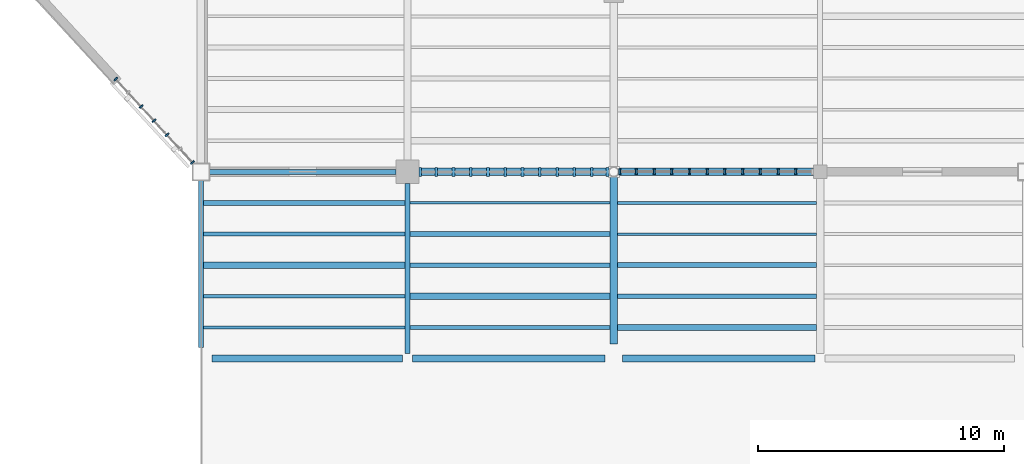
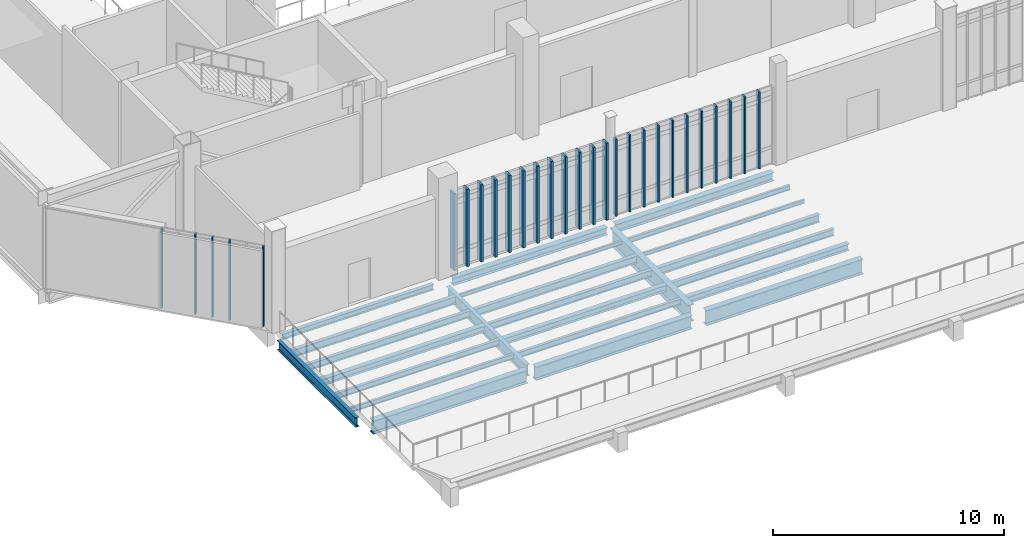
# One storey, part 15 of 127: 28 members, 24 beams, 3 elements without a shape of their own.
"""IFC4 building model written with IfcOpenShell, lengths in metres."""

import ifcopenshell
import ifcopenshell.guid

model = None  # the IFC model being written
_history = None  # IfcOwnerHistory: only IFC2X3 demands one
_inside = {}  # id of a spatial element -> (the spatial element, [elements in it])
_under = {}  # id of a project, library or spatial element -> (it, [spatial elements below it])
_declared = {}  # id of a project -> (the project, [libraries it declares])
_typed = {}  # id of a type object -> (the type object, [elements of that type])
_made_of = {}  # id of a material, layer set ... -> (it, [elements and type objects made of it])


def new_model(schema):
    """Start an empty IFC model of exactly this schema.

    Asked for "IFC4X3", IfcOpenShell would pick the latest addendum, in which some entities
    have other attributes; the version numbers below select the first issue.
    IFC2X3 requires an IfcOwnerHistory on every rooted entity: one is made here for all.
    """
    global model, _history
    if schema == "IFC4X3":
        model = ifcopenshell.file(schema_version=(4, 3, 0, 0))
    else:
        model = ifcopenshell.file(schema=schema)
    _inside.clear()
    _under.clear()
    _declared.clear()
    _typed.clear()
    _made_of.clear()
    _history = None
    if model.schema == "IFC2X3":
        org = make("IfcOrganization", Name="unknown")
        user = make(
            "IfcPersonAndOrganization",
            ThePerson=make("IfcPerson", FamilyName="unknown"),
            TheOrganization=org,
        )
        app = make(
            "IfcApplication",
            ApplicationDeveloper=org,
            Version="unknown",
            ApplicationFullName="unknown",
            ApplicationIdentifier="unknown",
        )
        _history = make(
            "IfcOwnerHistory",
            OwningUser=user,
            OwningApplication=app,
            ChangeAction="ADDED",
            CreationDate=0,
        )
    return model


def make(cls, **values):
    """One entity of the class cls with the attributes given. An attribute that is None is left unset."""
    return model.create_entity(
        cls, **{name: value for name, value in values.items() if value is not None}
    )


def rooted(cls, **values):
    """An entity with a GlobalId (a new one), such as an element, a storey or a relation."""
    return make(cls, GlobalId=ifcopenshell.guid.new(), OwnerHistory=_history, **values)


def si_unit(unit_type, name, prefix=None):
    """IfcSIUnit, for example si_unit("LENGTHUNIT", "METRE", prefix="MILLI")."""
    return make("IfcSIUnit", UnitType=unit_type, Prefix=prefix, Name=name)


def assignment(units):
    """IfcUnitAssignment: the units of a project."""
    return None if units is None else make("IfcUnitAssignment", Units=units)


def point(xyz):
    """IfcCartesianPoint."""
    return None if xyz is None else make("IfcCartesianPoint", Coordinates=xyz)


def direction(xyz):
    """IfcDirection."""
    return None if xyz is None else make("IfcDirection", DirectionRatios=xyz)


def frame(location, z_axis=None, x_axis=None):
    """IfcAxis2Placement3D, a coordinate frame: its origin and axes. An axis left out is left unset."""
    return make(
        "IfcAxis2Placement3D",
        Location=point(location),
        Axis=direction(z_axis),
        RefDirection=direction(x_axis),
    )


def frame_2d(location, x_axis=None):
    """IfcAxis2Placement2D, a coordinate frame in the plane: its origin and x axis."""
    return make(
        "IfcAxis2Placement2D", Location=point(location), RefDirection=direction(x_axis)
    )


def origin():
    """The frame at (0, 0, 0) with its axes left unset."""
    return frame((0.0, 0.0, 0.0))


def origin_2d():
    """The frame at (0, 0) in the plane with its x axis left unset."""
    return frame_2d((0.0, 0.0))


def place(relative_to, where):
    """IfcLocalPlacement: puts the frame where relative to a parent placement (None: the world)."""
    return make(
        "IfcLocalPlacement", PlacementRelTo=relative_to, RelativePlacement=where
    )


def context(
    kind, dimensions, precision=None, world=None, true_north=None, identifier=None
):
    """IfcGeometricRepresentationContext, for example the 3D "Model" context."""
    return make(
        "IfcGeometricRepresentationContext",
        ContextIdentifier=identifier,
        ContextType=kind,
        CoordinateSpaceDimension=dimensions,
        Precision=precision,
        WorldCoordinateSystem=world,
        TrueNorth=true_north,
    )


def subcontext(parent, identifier, kind, view, scale=None):
    """IfcGeometricRepresentationSubContext, for example "Body" below "Model"."""
    return make(
        "IfcGeometricRepresentationSubContext",
        ContextIdentifier=identifier,
        ContextType=kind,
        ParentContext=parent,
        TargetScale=scale,
        TargetView=view,
    )


def project(units=None, contexts=None):
    """IfcProject with its units and contexts."""
    return rooted(
        "IfcProject",
        Name="project",
        RepresentationContexts=contexts,
        UnitsInContext=assignment(units),
    )


def spatial(cls, under=None, at=None, **own):
    """A site, building, storey or space (cls), placed at a placement, below another one or the project."""
    s = rooted(cls, ObjectPlacement=at, **own)
    if under is not None:
        _under.setdefault(under.id(), (under, []))[1].append(s)
    return s


def profile(cls, at=None, kind="AREA", **sizes):
    """A parametric profile (cls). Its sizes go by their IFC names, for example OverallWidth=200.0."""
    return make(cls, ProfileType=kind, Position=at, **sizes)


def rectangle(**sizes):
    """IfcRectangleProfileDef."""
    return profile("IfcRectangleProfileDef", **sizes)


def i_section(**sizes):
    """IfcIShapeProfileDef."""
    return profile("IfcIShapeProfileDef", **sizes)


def extrude(swept, where, along, depth):
    """IfcExtrudedAreaSolid: the profile swept, set in the frame where, extruded along a direction by depth."""
    return make(
        "IfcExtrudedAreaSolid",
        SweptArea=swept,
        Position=where,
        ExtrudedDirection=direction(along),
        Depth=depth,
    )


def shape(context_of_items, identifier, shape_type, items):
    """IfcShapeRepresentation: the items that make up one representation, for example the "Body"."""
    return make(
        "IfcShapeRepresentation",
        ContextOfItems=context_of_items,
        RepresentationIdentifier=identifier,
        RepresentationType=shape_type,
        Items=items,
    )


def material(Name=None, Category=None):
    """IfcMaterial."""
    return make("IfcMaterial", Name=Name, Category=Category)


def material_profile(
    of_material, cross_section, Name=None, Category=None, Priority=None
):
    """IfcMaterialProfile: a cross section and its material."""
    return make(
        "IfcMaterialProfile",
        Name=Name,
        Material=of_material,
        Profile=cross_section,
        Priority=Priority,
        Category=Category,
    )


def profile_set(profiles, Name=None, composite=None):
    """IfcMaterialProfileSet."""
    return make(
        "IfcMaterialProfileSet",
        Name=Name,
        MaterialProfiles=profiles,
        CompositeProfile=composite,
    )


def made_of(thing, what):
    """Note that an element or type object is made of a material, layer set ...; save() writes the relation."""
    if what is not None:
        _made_of.setdefault(what.id(), (what, []))[1].append(thing)
    return thing


def type_object(cls, material=None, **own):
    """A type object (cls), such as IfcWallType, which elements share."""
    return made_of(rooted(cls, **own), material)


def element(
    cls,
    number,
    at=None,
    inside=None,
    cuts=None,
    type_object=None,
    material=None,
    context=None,
    identifier="Body",
    shape_type=None,
    held_by="IfcProductDefinitionShape",
    body=None,
    shapes=None,
    **own,
):
    """One element of the class cls, such as IfcWall. Its Tag is "e" and its number.

    at: its placement. inside: the storey or other place that contains it. cuts: it is an
    opening in that element (IfcRelVoidsElement). A single representation is given by context,
    identifier, shape_type and body (its items); several are given by shapes. held_by: the class
    of the entity that holds the representations. save() writes the other relations.
    """
    e = rooted(cls, Tag="e%d" % number, ObjectPlacement=at, **own)
    if body is not None:
        shapes = [shape(context, identifier, shape_type, body)]
    if shapes is not None:
        e.Representation = make(held_by, Representations=shapes)
    if inside is not None:
        _inside.setdefault(inside.id(), (inside, []))[1].append(e)
    if cuts is not None:
        rooted(
            "IfcRelVoidsElement", RelatingBuildingElement=cuts, RelatedOpeningElement=e
        )
    if type_object is not None:
        _typed.setdefault(type_object.id(), (type_object, []))[1].append(e)
    return made_of(e, material)


def aggregate(whole, parts):
    """IfcRelAggregates: a whole, such as a stair, and the parts it consists of."""
    return rooted("IfcRelAggregates", RelatingObject=whole, RelatedObjects=parts)


def save(model, path):
    """Write the relations noted so far, then the file.

    IfcRelAggregates (storeys below a building ...), IfcRelContainedInSpatialStructure (elements
    in a storey), IfcRelDefinesByType, IfcRelAssociatesMaterial and IfcRelDeclares: one each for
    every whole, place, type object, material and project.
    """
    for whole, parts in _under.values():
        aggregate(whole, parts)
    for where, things in _inside.values():
        rooted(
            "IfcRelContainedInSpatialStructure",
            RelatedElements=things,
            RelatingStructure=where,
        )
    for kind, things in _typed.values():
        rooted("IfcRelDefinesByType", RelatedObjects=things, RelatingType=kind)
    for what, things in _made_of.values():
        rooted("IfcRelAssociatesMaterial", RelatedObjects=things, RelatingMaterial=what)
    for by, libraries in _declared.values():
        rooted("IfcRelDeclares", RelatingContext=by, RelatedDefinitions=libraries)
    model.write(path)


model = new_model("IFC4")

# Units and contexts
model_context = context("Model", 3, precision=1e-05, world=origin(), true_north=direction((0.0, 1.0)))
body_context = subcontext(model_context, "Body", "Model", "MODEL_VIEW")
ifc_project = project(units=[si_unit("LENGTHUNIT", "METRE"), si_unit("AREAUNIT", "SQUARE_METRE"), si_unit("VOLUMEUNIT", "CUBIC_METRE"), si_unit("PLANEANGLEUNIT", "RADIAN"), si_unit("MASSUNIT", "GRAM", prefix="KILO")], contexts=[model_context])

# Site, building, storey
site_placement = place(None, origin())
site = spatial("IfcSite", under=ifc_project, at=site_placement, CompositionType="ELEMENT")
building_placement = place(site_placement, origin())
building = spatial("IfcBuilding", under=site, at=building_placement, Name="Larkvane Passage Sports Hall", CompositionType="ELEMENT")
storey_placement = place(building_placement, frame((0.0, 0.0, 5.39990234375)))
storey = spatial("IfcBuildingStorey", under=building, at=storey_placement, Name="L01", CompositionType="ELEMENT", Elevation=5.39990234375)

# Beams
ifc_material_1 = material(Name="Steel S355JR", Category="steel")
ifc_material_profile_1 = material_profile(ifc_material_1, i_section(OverallWidth=0.199951171875, OverallDepth=0.2939453125, WebThickness=0.008056640625, FlangeThickness=0.011962890625, FilletRadius=0.012939453125, at=origin_2d()), Name="H-294x200x8x12")
ifc_profile_set_1 = profile_set([ifc_material_profile_1], Name="Steel S355JR")
beam_type_1 = type_object("IfcBeamType", Name="BM-STL-H294", PredefinedType="BEAM", material=ifc_profile_set_1)
beam_1_placement = place(storey_placement, frame((35.14990234375, 15.199951171875, -0.56689453125), z_axis=(1.0, 0.0, 0.0), x_axis=(0.0, 1.0, 0.0)))
element("IfcBeam", 1, at=beam_1_placement, inside=storey, type_object=beam_type_1, Name="Girder BM5-X-L01-C-0378", PredefinedType="BEAM", context=body_context, shape_type="SweptSolid", body=[
    extrude(i_section(OverallWidth=0.199951171875, OverallDepth=0.2939453125, WebThickness=0.008056640625, FlangeThickness=0.011962890625, FilletRadius=0.012939453125, at=origin_2d()), origin(), (0.0, 0.0, 1.0), 7.5751953125),
])
ifc_material_profile_2 = material_profile(ifc_material_1, i_section(OverallWidth=0.300048828125, OverallDepth=0.389892578125, WebThickness=0.010009765625, FlangeThickness=0.01611328125, FilletRadius=0.01806640625, at=origin_2d()), Name="H-390x300x10x16")
ifc_profile_set_2 = profile_set([ifc_material_profile_2], Name="Steel S355JR")
beam_type_2 = type_object("IfcBeamType", Name="BM-STL-H390", PredefinedType="BEAM", material=ifc_profile_set_2)
beam_2_placement = place(storey_placement, frame((43.675048828125, 15.199951171875, -0.614990234375), z_axis=(1.0, 0.0, 0.0), x_axis=(0.0, 1.0, 0.0)))
element("IfcBeam", 2, at=beam_2_placement, inside=storey, type_object=beam_type_2, Name="Girder BM5-X-L01-C-0379", PredefinedType="BEAM", context=body_context, shape_type="SweptSolid", body=[
    extrude(i_section(OverallWidth=0.300048828125, OverallDepth=0.389892578125, WebThickness=0.010009765625, FlangeThickness=0.01611328125, FilletRadius=0.01806640625, at=origin_2d()), origin(), (0.0, 0.0, 1.0), 7.7216796875),
])
ifc_material_profile_3 = material_profile(ifc_material_1, i_section(OverallWidth=0.300048828125, OverallDepth=0.43994140625, WebThickness=0.010986328125, FlangeThickness=0.01806640625, FilletRadius=0.01806640625, at=origin_2d()), Name="H-440x300x11x18")
ifc_profile_set_3 = profile_set([ifc_material_profile_3], Name="Steel S355JR")
beam_type_3 = type_object("IfcBeamType", Name="BM-STL-H440", PredefinedType="BEAM", material=ifc_profile_set_3)
beam_3_placement = place(storey_placement, frame((51.80322265625, 15.199951171875, -0.639892578125), z_axis=(1.0, 0.0, 0.0), x_axis=(0.0, 1.0, 0.0)))
element("IfcBeam", 3, at=beam_3_placement, inside=storey, type_object=beam_type_3, Name="Girder BM5-X-L01-C-0380", PredefinedType="BEAM", context=body_context, shape_type="SweptSolid", body=[
    extrude(i_section(OverallWidth=0.300048828125, OverallDepth=0.43994140625, WebThickness=0.010986328125, FlangeThickness=0.01806640625, FilletRadius=0.01806640625, at=origin_2d()), origin(), (0.0, 0.0, 1.0), 7.921875),
])
ifc_material_profile_4 = material_profile(ifc_material_1, i_section(OverallWidth=0.199951171875, OverallDepth=0.60009765625, WebThickness=0.010986328125, FlangeThickness=0.01708984375, FilletRadius=0.01806640625, at=origin_2d()), Name="H-600x200x11x17")
ifc_profile_set_4 = profile_set([ifc_material_profile_4], Name="Steel S355JR")
beam_type_4 = type_object("IfcBeamType", Name="BM-STL-H600", PredefinedType="BEAM", material=ifc_profile_set_4)
beam_4_placement = place(storey_placement, frame((43.199951171875, 7.81396484375, -0.719970703125), z_axis=(0.0, 1.0, 0.0), x_axis=(-1.0, 0.0, 0.0)))
element("IfcBeam", 4, at=beam_4_placement, inside=storey, type_object=beam_type_4, Name="Girder BM5-Y-L01-7-0449", PredefinedType="BEAM", context=body_context, shape_type="SweptSolid", body=[
    extrude(i_section(OverallWidth=0.199951171875, OverallDepth=0.60009765625, WebThickness=0.010986328125, FlangeThickness=0.01708984375, FilletRadius=0.01806640625, at=origin_2d()), origin(), (0.0, 0.0, 1.0), 6.9111328125),
])
ifc_material_2 = material(Name="Steel S460N", Category="steel")
ifc_material_profile_5 = material_profile(ifc_material_2, i_section(OverallWidth=0.300048828125, OverallDepth=0.69189453125, WebThickness=0.012939453125, FlangeThickness=0.02001953125, FilletRadius=0.02197265625, at=origin_2d()), Name="H-692x300x13x20")
ifc_profile_set_5 = profile_set([ifc_material_profile_5], Name="Steel S460N")
beam_type_5 = type_object("IfcBeamType", Name="BM-STL-H692", PredefinedType="BEAM", material=ifc_profile_set_5)
beam_5_placement = place(storey_placement, frame((35.25, 7.60009765625, -0.765869140625), z_axis=(1.0, 0.0, 0.0), x_axis=(0.0, 1.0, 0.0)))
element("IfcBeam", 5, at=beam_5_placement, inside=storey, type_object=beam_type_5, Name="Girder BM5-X-L01-B-0372", PredefinedType="BEAM", context=body_context, shape_type="SweptSolid", body=[
    extrude(i_section(OverallWidth=0.300048828125, OverallDepth=0.69189453125, WebThickness=0.012939453125, FlangeThickness=0.02001953125, FilletRadius=0.02197265625, at=origin_2d()), origin(), (0.0, 0.0, 1.0), 7.74658203125),
])
ifc_material_profile_6 = material_profile(ifc_material_2, i_section(OverallWidth=0.300048828125, OverallDepth=0.699951171875, WebThickness=0.012939453125, FlangeThickness=0.02392578125, FilletRadius=0.02197265625, at=origin_2d()), Name="H-700x300x13x24")
ifc_profile_set_6 = profile_set([ifc_material_profile_6], Name="Steel S460N")
beam_type_6 = type_object("IfcBeamType", Name="BM-STL-H700", PredefinedType="BEAM", material=ifc_profile_set_6)
beam_6_placement = place(storey_placement, frame((43.403564453125, 7.60009765625, -0.77001953125), z_axis=(1.0, 0.0, 0.0), x_axis=(0.0, 1.0, 0.0)))
element("IfcBeam", 6, at=beam_6_placement, inside=storey, type_object=beam_type_6, Name="Girder BM5-X-L01-B-0373", PredefinedType="BEAM", context=body_context, shape_type="SweptSolid", body=[
    extrude(i_section(OverallWidth=0.300048828125, OverallDepth=0.699951171875, WebThickness=0.012939453125, FlangeThickness=0.02392578125, FilletRadius=0.02197265625, at=origin_2d()), origin(), (0.0, 0.0, 1.0), 7.846435546875),
])
ifc_material_profile_7 = material_profile(ifc_material_2, i_section(OverallWidth=0.300048828125, OverallDepth=0.7919921875, WebThickness=0.013916015625, FlangeThickness=0.02197265625, FilletRadius=0.02197265625, at=origin_2d()), Name="H-792x300x14x22")
ifc_profile_set_7 = profile_set([ifc_material_profile_7], Name="Steel S460N")
beam_type_7 = type_object("IfcBeamType", Name="BM-STL-H792", PredefinedType="BEAM", material=ifc_profile_set_7)
beam_7_placement = place(storey_placement, frame((51.949951171875, 7.60009765625, -0.81591796875), z_axis=(1.0, 0.0, 0.0), x_axis=(0.0, 1.0, 0.0)))
element("IfcBeam", 7, at=beam_7_placement, inside=storey, type_object=beam_type_7, Name="Girder BM5-X-L01-B-0374", PredefinedType="BEAM", context=body_context, shape_type="SweptSolid", body=[
    extrude(i_section(OverallWidth=0.300048828125, OverallDepth=0.7919921875, WebThickness=0.013916015625, FlangeThickness=0.02197265625, FilletRadius=0.02197265625, at=origin_2d()), origin(), (0.0, 0.0, 1.0), 7.84765625),
])
ifc_material_profile_8 = material_profile(ifc_material_2, i_section(OverallWidth=0.299072265625, OverallDepth=0.889892578125, WebThickness=0.014892578125, FlangeThickness=0.02294921875, FilletRadius=0.02197265625, at=origin_2d()), Name="H-890x299x15x23")
ifc_profile_set_8 = profile_set([ifc_material_profile_8], Name="Steel S460N")
beam_type_8 = type_object("IfcBeamType", Name="BM-STL-H890", PredefinedType="BEAM", material=ifc_profile_set_8)
beam_8_placement = place(storey_placement, frame((51.60009765625, 8.199951171875, -0.864990234375), z_axis=(0.0, 1.0, 0.0), x_axis=(-1.0, 0.0, 0.0)))
element("IfcBeam", 8, at=beam_8_placement, inside=storey, type_object=beam_type_8, Name="Girder BM5-Y-L01-8-0454", PredefinedType="BEAM", context=body_context, shape_type="SweptSolid", body=[
    extrude(i_section(OverallWidth=0.299072265625, OverallDepth=0.889892578125, WebThickness=0.014892578125, FlangeThickness=0.02294921875, FilletRadius=0.02197265625, at=origin_2d()), origin(), (0.0, 0.0, 1.0), 6.796875),
])

# Curtain wall, members
ifc_material_3 = material(Name="Thermally broken aluminium and low-E glazing", Category="aluminium")
curtain_wall_type_1 = type_object("IfcCurtainWallType", Name="CW-CLINIC", PredefinedType="USERDEFINED", material=ifc_material_3)
curtain_wall_1_placement = place(storey_placement, origin())
curtain_wall_1 = element("IfcCurtainWall", 9, at=curtain_wall_1_placement, inside=storey, type_object=curtain_wall_type_1, Name="Curtain wall CW5-L01-031", ObjectType="UNITISED CURTAIN WALL", PredefinedType="USERDEFINED")
ifc_material_4 = material(Name="Anodised aluminium 6063-T6", Category="aluminium")
ifc_material_profile_9 = material_profile(ifc_material_4, rectangle(XDim=0.110107421875, YDim=0.360107421875, at=origin_2d()), Name="ALU-MUL-110x360")
ifc_profile_set_9 = profile_set([ifc_material_profile_9], Name="Anodised aluminium 6063-T6")
member_type_1 = type_object("IfcMemberType", Name="CW-MUL-110x360", PredefinedType="MULLION", material=ifc_profile_set_9)
member_1_placement = place(storey_placement, frame((51.345703125, 15.199951171875, 0.0), z_axis=(0.0, 0.0, 1.0), x_axis=(-1.0, 0.0, 0.0)))
member_1 = element("IfcMember", 10, at=member_1_placement, type_object=member_type_1, Name="CW-05 mullion 1", PredefinedType="MULLION", context=body_context, shape_type="SweptSolid", body=[
    extrude(rectangle(XDim=0.110107421875, YDim=0.360107421875, at=origin_2d()), origin(), (0.0, 0.0, 1.0), 4.078125),
])
member_2_placement = place(storey_placement, frame((50.697998046875, 15.199951171875, 0.0), z_axis=(0.0, 0.0, 1.0), x_axis=(-1.0, 0.0, 0.0)))
member_2 = element("IfcMember", 11, at=member_2_placement, type_object=member_type_1, Name="CW-05 mullion 2", PredefinedType="MULLION", context=body_context, shape_type="SweptSolid", body=[
    extrude(rectangle(XDim=0.110107421875, YDim=0.360107421875, at=origin_2d()), origin(), (0.0, 0.0, 1.0), 4.078125),
])
member_3_placement = place(storey_placement, frame((49.995361328125, 15.199951171875, 0.0), z_axis=(0.0, 0.0, 1.0), x_axis=(-1.0, 0.0, 0.0)))
member_3 = element("IfcMember", 12, at=member_3_placement, type_object=member_type_1, Name="CW-05 mullion 3", PredefinedType="MULLION", context=body_context, shape_type="SweptSolid", body=[
    extrude(rectangle(XDim=0.110107421875, YDim=0.360107421875, at=origin_2d()), origin(), (0.0, 0.0, 1.0), 4.078125),
])
member_4_placement = place(storey_placement, frame((49.292724609375, 15.199951171875, 0.0), z_axis=(0.0, 0.0, 1.0), x_axis=(-1.0, 0.0, 0.0)))
member_4 = element("IfcMember", 13, at=member_4_placement, type_object=member_type_1, Name="CW-05 mullion 4", PredefinedType="MULLION", context=body_context, shape_type="SweptSolid", body=[
    extrude(rectangle(XDim=0.110107421875, YDim=0.360107421875, at=origin_2d()), origin(), (0.0, 0.0, 1.0), 4.078125),
])
member_5_placement = place(storey_placement, frame((48.58984375, 15.199951171875, 0.0), z_axis=(0.0, 0.0, 1.0), x_axis=(-1.0, 0.0, 0.0)))
member_5 = element("IfcMember", 14, at=member_5_placement, type_object=member_type_1, Name="CW-05 mullion 5", PredefinedType="MULLION", context=body_context, shape_type="SweptSolid", body=[
    extrude(rectangle(XDim=0.110107421875, YDim=0.360107421875, at=origin_2d()), origin(), (0.0, 0.0, 1.0), 4.078125),
])
member_6_placement = place(storey_placement, frame((47.88720703125, 15.199951171875, 0.0), z_axis=(0.0, 0.0, 1.0), x_axis=(-1.0, 0.0, 0.0)))
member_6 = element("IfcMember", 15, at=member_6_placement, type_object=member_type_1, Name="CW-05 mullion 6", PredefinedType="MULLION", context=body_context, shape_type="SweptSolid", body=[
    extrude(rectangle(XDim=0.110107421875, YDim=0.360107421875, at=origin_2d()), origin(), (0.0, 0.0, 1.0), 4.078125),
])
member_7_placement = place(storey_placement, frame((47.1845703125, 15.199951171875, 0.0), z_axis=(0.0, 0.0, 1.0), x_axis=(-1.0, 0.0, 0.0)))
member_7 = element("IfcMember", 16, at=member_7_placement, type_object=member_type_1, Name="CW-05 mullion 7", PredefinedType="MULLION", context=body_context, shape_type="SweptSolid", body=[
    extrude(rectangle(XDim=0.110107421875, YDim=0.360107421875, at=origin_2d()), origin(), (0.0, 0.0, 1.0), 4.078125),
])
member_8_placement = place(storey_placement, frame((46.48193359375, 15.199951171875, 0.0), z_axis=(0.0, 0.0, 1.0), x_axis=(-1.0, 0.0, 0.0)))
member_8 = element("IfcMember", 17, at=member_8_placement, type_object=member_type_1, Name="CW-05 mullion 8", PredefinedType="MULLION", context=body_context, shape_type="SweptSolid", body=[
    extrude(rectangle(XDim=0.110107421875, YDim=0.360107421875, at=origin_2d()), origin(), (0.0, 0.0, 1.0), 4.078125),
])
member_9_placement = place(storey_placement, frame((45.779052734375, 15.199951171875, 0.0), z_axis=(0.0, 0.0, 1.0), x_axis=(-1.0, 0.0, 0.0)))
member_9 = element("IfcMember", 18, at=member_9_placement, type_object=member_type_1, Name="CW-05 mullion 9", PredefinedType="MULLION", context=body_context, shape_type="SweptSolid", body=[
    extrude(rectangle(XDim=0.110107421875, YDim=0.360107421875, at=origin_2d()), origin(), (0.0, 0.0, 1.0), 4.078125),
])
member_10_placement = place(storey_placement, frame((45.076416015625, 15.199951171875, 0.0), z_axis=(0.0, 0.0, 1.0), x_axis=(-1.0, 0.0, 0.0)))
member_10 = element("IfcMember", 19, at=member_10_placement, type_object=member_type_1, Name="CW-05 mullion 10", PredefinedType="MULLION", context=body_context, shape_type="SweptSolid", body=[
    extrude(rectangle(XDim=0.110107421875, YDim=0.360107421875, at=origin_2d()), origin(), (0.0, 0.0, 1.0), 4.078125),
])
member_11_placement = place(storey_placement, frame((44.373779296875, 15.199951171875, 0.0), z_axis=(0.0, 0.0, 1.0), x_axis=(-1.0, 0.0, 0.0)))
member_11 = element("IfcMember", 20, at=member_11_placement, type_object=member_type_1, Name="CW-05 mullion 11", PredefinedType="MULLION", context=body_context, shape_type="SweptSolid", body=[
    extrude(rectangle(XDim=0.110107421875, YDim=0.360107421875, at=origin_2d()), origin(), (0.0, 0.0, 1.0), 4.078125),
])
member_12_placement = place(storey_placement, frame((43.72607421875, 15.199951171875, 0.0), z_axis=(0.0, 0.0, 1.0), x_axis=(-1.0, 0.0, 0.0)))
member_12 = element("IfcMember", 21, at=member_12_placement, type_object=member_type_1, Name="CW-05 mullion 12", PredefinedType="MULLION", context=body_context, shape_type="SweptSolid", body=[
    extrude(rectangle(XDim=0.110107421875, YDim=0.360107421875, at=origin_2d()), origin(), (0.0, 0.0, 1.0), 4.078125),
])
aggregate(curtain_wall_1, [member_1, member_2, member_3, member_4, member_5, member_6, member_7, member_8, member_9, member_10, member_11, member_12])

curtain_wall_type_2 = type_object("IfcCurtainWallType", Name="CW-UNIT-COURT", PredefinedType="USERDEFINED", material=ifc_material_3)
curtain_wall_2_placement = place(storey_placement, origin())
curtain_wall_2 = element("IfcCurtainWall", 22, at=curtain_wall_2_placement, inside=storey, type_object=curtain_wall_type_2, Name="Curtain wall CW5-L01-032", ObjectType="UNITISED CURTAIN WALL", PredefinedType="USERDEFINED")
ifc_material_profile_10 = material_profile(ifc_material_4, rectangle(XDim=0.06494140625, YDim=0.179931640625, at=origin_2d()), Name="ALU-MUL-65x180")
ifc_profile_set_10 = profile_set([ifc_material_profile_10], Name="Anodised aluminium 6063-T6")
member_type_2 = type_object("IfcMemberType", Name="CW-MUL-65x180", PredefinedType="MULLION", material=ifc_profile_set_10)
member_13_placement = place(storey_placement, frame((34.44580078125, 15.584716796875, 0.0), z_axis=(0.0, 0.0, 1.0), x_axis=(-0.677477581746, 0.735543422397, 0.0)))
member_13 = element("IfcMember", 23, at=member_13_placement, type_object=member_type_2, Name="CW-01 mullion 1", PredefinedType="MULLION", context=body_context, shape_type="SweptSolid", body=[
    extrude(rectangle(XDim=0.06494140625, YDim=0.179931640625, at=origin_2d()), origin(), (0.0, 0.0, 1.0), 4.218017578125),
])
member_14_placement = place(storey_placement, frame((33.411865234375, 16.707275390625, 0.0), z_axis=(0.0, 0.0, 1.0), x_axis=(-0.677477581746, 0.735543422397, 0.0)))
member_14 = element("IfcMember", 24, at=member_14_placement, type_object=member_type_2, Name="CW-01 mullion 3", PredefinedType="MULLION", context=body_context, shape_type="SweptSolid", body=[
    extrude(rectangle(XDim=0.06494140625, YDim=0.179931640625, at=origin_2d()), origin(), (0.0, 0.0, 1.0), 4.218017578125),
])
member_15_placement = place(storey_placement, frame((32.8837890625, 17.280517578125, 0.0), z_axis=(0.0, 0.0, 1.0), x_axis=(-0.677477581746, 0.735543422397, 0.0)))
member_15 = element("IfcMember", 25, at=member_15_placement, type_object=member_type_2, Name="CW-01 mullion 4", PredefinedType="MULLION", context=body_context, shape_type="SweptSolid", body=[
    extrude(rectangle(XDim=0.06494140625, YDim=0.179931640625, at=origin_2d()), origin(), (0.0, 0.0, 1.0), 4.218017578125),
])
member_16_placement = place(storey_placement, frame((32.35595703125, 17.853515625, 0.0), z_axis=(0.0, 0.0, 1.0), x_axis=(-0.677477581746, 0.735543422397, 0.0)))
member_16 = element("IfcMember", 26, at=member_16_placement, type_object=member_type_2, Name="CW-01 mullion 5", PredefinedType="MULLION", context=body_context, shape_type="SweptSolid", body=[
    extrude(rectangle(XDim=0.06494140625, YDim=0.179931640625, at=origin_2d()), origin(), (0.0, 0.0, 1.0), 4.218017578125),
])
member_17_placement = place(storey_placement, frame((31.322021484375, 18.97607421875, 0.0), z_axis=(0.0, 0.0, 1.0), x_axis=(-0.677477581746, 0.735543422397, 0.0)))
member_17 = element("IfcMember", 27, at=member_17_placement, type_object=member_type_2, Name="CW-01 mullion 7", PredefinedType="MULLION", context=body_context, shape_type="SweptSolid", body=[
    extrude(rectangle(XDim=0.06494140625, YDim=0.179931640625, at=origin_2d()), origin(), (0.0, 0.0, 1.0), 4.218017578125),
])
aggregate(curtain_wall_2, [member_13, member_14, member_15, member_16, member_17])

curtain_wall_type_3 = type_object("IfcCurtainWallType", Name="CW-STICK-FOYER", PredefinedType="USERDEFINED", material=ifc_material_3)
curtain_wall_3_placement = place(storey_placement, origin())
curtain_wall_3 = element("IfcCurtainWall", 28, at=curtain_wall_3_placement, inside=storey, type_object=curtain_wall_type_3, Name="Curtain wall CW5-L01-030", ObjectType="STICK CURTAIN WALL", PredefinedType="USERDEFINED")
ifc_material_profile_11 = material_profile(ifc_material_4, rectangle(XDim=0.080078125, YDim=0.25, at=origin_2d()), Name="ALU-MUL-80x250")
ifc_profile_set_11 = profile_set([ifc_material_profile_11], Name="Anodised aluminium 6063-T6")
member_type_3 = type_object("IfcMemberType", Name="CW-MUL-80x250", PredefinedType="MULLION", material=ifc_profile_set_11)
member_18_placement = place(storey_placement, frame((59.008056640625, 15.199951171875, 0.0), z_axis=(0.0, 0.0, 1.0), x_axis=(-1.0, 0.0, 0.0)))
member_18 = element("IfcMember", 29, at=member_18_placement, type_object=member_type_3, Name="CW-03 mullion 2", PredefinedType="MULLION", context=body_context, shape_type="SweptSolid", body=[
    extrude(rectangle(XDim=0.080078125, YDim=0.25, at=origin_2d()), origin(), (0.0, 0.0, 1.0), 4.068115234375),
])
member_19_placement = place(storey_placement, frame((58.287109375, 15.199951171875, 0.0), z_axis=(0.0, 0.0, 1.0), x_axis=(-1.0, 0.0, 0.0)))
member_19 = element("IfcMember", 30, at=member_19_placement, type_object=member_type_3, Name="CW-03 mullion 3", PredefinedType="MULLION", context=body_context, shape_type="SweptSolid", body=[
    extrude(rectangle(XDim=0.080078125, YDim=0.25, at=origin_2d()), origin(), (0.0, 0.0, 1.0), 4.068115234375),
])
member_20_placement = place(storey_placement, frame((57.56640625, 15.199951171875, 0.0), z_axis=(0.0, 0.0, 1.0), x_axis=(-1.0, 0.0, 0.0)))
member_20 = element("IfcMember", 31, at=member_20_placement, type_object=member_type_3, Name="CW-03 mullion 4", PredefinedType="MULLION", context=body_context, shape_type="SweptSolid", body=[
    extrude(rectangle(XDim=0.080078125, YDim=0.25, at=origin_2d()), origin(), (0.0, 0.0, 1.0), 4.068115234375),
])
member_21_placement = place(storey_placement, frame((56.845458984375, 15.199951171875, 0.0), z_axis=(0.0, 0.0, 1.0), x_axis=(-1.0, 0.0, 0.0)))
member_21 = element("IfcMember", 32, at=member_21_placement, type_object=member_type_3, Name="CW-03 mullion 5", PredefinedType="MULLION", context=body_context, shape_type="SweptSolid", body=[
    extrude(rectangle(XDim=0.080078125, YDim=0.25, at=origin_2d()), origin(), (0.0, 0.0, 1.0), 4.068115234375),
])
member_22_placement = place(storey_placement, frame((56.12451171875, 15.199951171875, 0.0), z_axis=(0.0, 0.0, 1.0), x_axis=(-1.0, 0.0, 0.0)))
member_22 = element("IfcMember", 33, at=member_22_placement, type_object=member_type_3, Name="CW-03 mullion 6", PredefinedType="MULLION", context=body_context, shape_type="SweptSolid", body=[
    extrude(rectangle(XDim=0.080078125, YDim=0.25, at=origin_2d()), origin(), (0.0, 0.0, 1.0), 4.068115234375),
])
member_23_placement = place(storey_placement, frame((55.403564453125, 15.199951171875, 0.0), z_axis=(0.0, 0.0, 1.0), x_axis=(-1.0, 0.0, 0.0)))
member_23 = element("IfcMember", 34, at=member_23_placement, type_object=member_type_3, Name="CW-03 mullion 7", PredefinedType="MULLION", context=body_context, shape_type="SweptSolid", body=[
    extrude(rectangle(XDim=0.080078125, YDim=0.25, at=origin_2d()), origin(), (0.0, 0.0, 1.0), 4.068115234375),
])
member_24_placement = place(storey_placement, frame((54.682861328125, 15.199951171875, 0.0), z_axis=(0.0, 0.0, 1.0), x_axis=(-1.0, 0.0, 0.0)))
member_24 = element("IfcMember", 35, at=member_24_placement, type_object=member_type_3, Name="CW-03 mullion 8", PredefinedType="MULLION", context=body_context, shape_type="SweptSolid", body=[
    extrude(rectangle(XDim=0.080078125, YDim=0.25, at=origin_2d()), origin(), (0.0, 0.0, 1.0), 4.068115234375),
])
member_25_placement = place(storey_placement, frame((53.9619140625, 15.199951171875, 0.0), z_axis=(0.0, 0.0, 1.0), x_axis=(-1.0, 0.0, 0.0)))
member_25 = element("IfcMember", 36, at=member_25_placement, type_object=member_type_3, Name="CW-03 mullion 9", PredefinedType="MULLION", context=body_context, shape_type="SweptSolid", body=[
    extrude(rectangle(XDim=0.080078125, YDim=0.25, at=origin_2d()), origin(), (0.0, 0.0, 1.0), 4.068115234375),
])
member_26_placement = place(storey_placement, frame((53.240966796875, 15.199951171875, 0.0), z_axis=(0.0, 0.0, 1.0), x_axis=(-1.0, 0.0, 0.0)))
member_26 = element("IfcMember", 37, at=member_26_placement, type_object=member_type_3, Name="CW-03 mullion 10", PredefinedType="MULLION", context=body_context, shape_type="SweptSolid", body=[
    extrude(rectangle(XDim=0.080078125, YDim=0.25, at=origin_2d()), origin(), (0.0, 0.0, 1.0), 4.068115234375),
])
member_27_placement = place(storey_placement, frame((52.52001953125, 15.199951171875, 0.0), z_axis=(0.0, 0.0, 1.0), x_axis=(-1.0, 0.0, 0.0)))
member_27 = element("IfcMember", 38, at=member_27_placement, type_object=member_type_3, Name="CW-03 mullion 11", PredefinedType="MULLION", context=body_context, shape_type="SweptSolid", body=[
    extrude(rectangle(XDim=0.080078125, YDim=0.25, at=origin_2d()), origin(), (0.0, 0.0, 1.0), 4.068115234375),
])
member_28_placement = place(storey_placement, frame((51.839111328125, 15.199951171875, 0.0), z_axis=(0.0, 0.0, 1.0), x_axis=(-1.0, 0.0, 0.0)))
member_28 = element("IfcMember", 39, at=member_28_placement, type_object=member_type_3, Name="CW-03 mullion 12", PredefinedType="MULLION", context=body_context, shape_type="SweptSolid", body=[
    extrude(rectangle(XDim=0.080078125, YDim=0.25, at=origin_2d()), origin(), (0.0, 0.0, 1.0), 4.068115234375),
])
aggregate(curtain_wall_3, [member_18, member_19, member_20, member_21, member_22, member_23, member_24, member_25, member_26, member_27, member_28])

# Beams
ifc_material_profile_12 = material_profile(ifc_material_1, i_section(OverallWidth=0.10009765625, OverallDepth=0.199951171875, WebThickness=0.005615234375, FlangeThickness=0.008056640625, FilletRadius=0.008056640625, at=origin_2d()), Name="H-200x100x5.5x8")
ifc_profile_set_12 = profile_set([ifc_material_profile_12], Name="Steel S355JR")
beam_type_9 = type_object("IfcBeamType", Name="JST-STL-H200", PredefinedType="JOIST", material=ifc_profile_set_12)
beam_9_placement = place(storey_placement, frame((43.300048828125, 13.933349609375, -0.52001953125), z_axis=(1.0, 0.0, 0.0), x_axis=(0.0, 1.0, 0.0)))
element("IfcBeam", 40, at=beam_9_placement, inside=storey, type_object=beam_type_9, Name="Composite joist L01 7/B-5", PredefinedType="JOIST", context=body_context, shape_type="SweptSolid", body=[
    extrude(i_section(OverallWidth=0.10009765625, OverallDepth=0.199951171875, WebThickness=0.005615234375, FlangeThickness=0.008056640625, FilletRadius=0.008056640625, at=origin_2d()), origin(), (0.0, 0.0, 1.0), 8.150390625),
])
beam_10_placement = place(storey_placement, frame((51.74951171875, 12.666748046875, -0.52001953125), z_axis=(1.0, 0.0, 0.0), x_axis=(0.0, 1.0, 0.0)))
element("IfcBeam", 41, at=beam_10_placement, inside=storey, type_object=beam_type_9, Name="Composite joist L01 8/B-4", PredefinedType="JOIST", context=body_context, shape_type="SweptSolid", body=[
    extrude(i_section(OverallWidth=0.10009765625, OverallDepth=0.199951171875, WebThickness=0.005615234375, FlangeThickness=0.008056640625, FilletRadius=0.008056640625, at=origin_2d()), origin(), (0.0, 0.0, 1.0), 8.1005859375),
])
ifc_material_profile_13 = material_profile(ifc_material_1, i_section(OverallWidth=0.125, OverallDepth=0.25, WebThickness=0.006103515625, FlangeThickness=0.009033203125, FilletRadius=0.008056640625, at=origin_2d()), Name="H-250x125x6x9")
ifc_profile_set_13 = profile_set([ifc_material_profile_13], Name="Steel S355JR")
beam_type_10 = type_object("IfcBeamType", Name="JST-STL-H250", PredefinedType="JOIST", material=ifc_profile_set_13)
beam_11_placement = place(storey_placement, frame((34.89990234375, 8.86669921875, -0.544921875), z_axis=(1.0, 0.0, 0.0), x_axis=(0.0, 1.0, 0.0)))
element("IfcBeam", 42, at=beam_11_placement, inside=storey, type_object=beam_type_10, Name="Composite joist L01 6/B-1", PredefinedType="JOIST", context=body_context, shape_type="SweptSolid", body=[
    extrude(i_section(OverallWidth=0.125, OverallDepth=0.25, WebThickness=0.006103515625, FlangeThickness=0.009033203125, FilletRadius=0.008056640625, at=origin_2d()), origin(), (0.0, 0.0, 1.0), 8.2001953125),
])
beam_12_placement = place(storey_placement, frame((51.74951171875, 13.933349609375, -0.544921875), z_axis=(1.0, 0.0, 0.0), x_axis=(0.0, 1.0, 0.0)))
element("IfcBeam", 43, at=beam_12_placement, inside=storey, type_object=beam_type_10, Name="Composite joist L01 8/B-5", PredefinedType="JOIST", context=body_context, shape_type="SweptSolid", body=[
    extrude(i_section(OverallWidth=0.125, OverallDepth=0.25, WebThickness=0.006103515625, FlangeThickness=0.009033203125, FilletRadius=0.008056640625, at=origin_2d()), origin(), (0.0, 0.0, 1.0), 8.1005859375),
])
ifc_material_profile_14 = material_profile(ifc_material_1, i_section(OverallWidth=0.14990234375, OverallDepth=0.300048828125, WebThickness=0.006591796875, FlangeThickness=0.009033203125, FilletRadius=0.012939453125, at=origin_2d()), Name="H-300x150x6.5x9")
ifc_profile_set_14 = profile_set([ifc_material_profile_14], Name="Steel S355JR")
beam_type_11 = type_object("IfcBeamType", Name="JST-STL-H300", PredefinedType="JOIST", material=ifc_profile_set_14)
beam_13_placement = place(storey_placement, frame((34.89990234375, 10.13330078125, -0.56982421875), z_axis=(1.0, 0.0, 0.0), x_axis=(0.0, 1.0, 0.0)))
element("IfcBeam", 44, at=beam_13_placement, inside=storey, type_object=beam_type_11, Name="Composite joist L01 6/B-2", PredefinedType="JOIST", context=body_context, shape_type="SweptSolid", body=[
    extrude(i_section(OverallWidth=0.14990234375, OverallDepth=0.300048828125, WebThickness=0.006591796875, FlangeThickness=0.009033203125, FilletRadius=0.012939453125, at=origin_2d()), origin(), (0.0, 0.0, 1.0), 8.2001953125),
])
beam_14_placement = place(storey_placement, frame((43.300048828125, 8.86669921875, -0.56982421875), z_axis=(1.0, 0.0, 0.0), x_axis=(0.0, 1.0, 0.0)))
element("IfcBeam", 45, at=beam_14_placement, inside=storey, type_object=beam_type_11, Name="Composite joist L01 7/B-1", PredefinedType="JOIST", context=body_context, shape_type="SweptSolid", body=[
    extrude(i_section(OverallWidth=0.14990234375, OverallDepth=0.300048828125, WebThickness=0.006591796875, FlangeThickness=0.009033203125, FilletRadius=0.012939453125, at=origin_2d()), origin(), (0.0, 0.0, 1.0), 8.150390625),
])
ifc_material_profile_15 = material_profile(ifc_material_1, i_section(OverallWidth=0.25, OverallDepth=0.340087890625, WebThickness=0.009033203125, FlangeThickness=0.013916015625, FilletRadius=0.012939453125, at=origin_2d()), Name="H-340x250x9x14")
ifc_profile_set_15 = profile_set([ifc_material_profile_15], Name="Steel S355JR")
beam_type_12 = type_object("IfcBeamType", Name="JST-STL-H340", PredefinedType="JOIST", material=ifc_profile_set_15)
beam_15_placement = place(storey_placement, frame((34.89990234375, 11.39990234375, -0.58984375), z_axis=(1.0, 0.0, 0.0), x_axis=(0.0, 1.0, 0.0)))
element("IfcBeam", 46, at=beam_15_placement, inside=storey, type_object=beam_type_12, Name="Composite joist L01 6/B-3", PredefinedType="JOIST", context=body_context, shape_type="SweptSolid", body=[
    extrude(i_section(OverallWidth=0.25, OverallDepth=0.340087890625, WebThickness=0.009033203125, FlangeThickness=0.013916015625, FilletRadius=0.012939453125, at=origin_2d()), origin(), (0.0, 0.0, 1.0), 8.2001953125),
])
beam_16_placement = place(storey_placement, frame((43.300048828125, 10.13330078125, -0.58984375), z_axis=(1.0, 0.0, 0.0), x_axis=(0.0, 1.0, 0.0)))
element("IfcBeam", 47, at=beam_16_placement, inside=storey, type_object=beam_type_12, Name="Composite joist L01 7/B-2", PredefinedType="JOIST", context=body_context, shape_type="SweptSolid", body=[
    extrude(i_section(OverallWidth=0.25, OverallDepth=0.340087890625, WebThickness=0.009033203125, FlangeThickness=0.013916015625, FilletRadius=0.012939453125, at=origin_2d()), origin(), (0.0, 0.0, 1.0), 8.150390625),
])
beam_17_placement = place(storey_placement, frame((51.74951171875, 8.86669921875, -0.58984375), z_axis=(1.0, 0.0, 0.0), x_axis=(0.0, 1.0, 0.0)))
element("IfcBeam", 48, at=beam_17_placement, inside=storey, type_object=beam_type_12, Name="Composite joist L01 8/B-1", PredefinedType="JOIST", context=body_context, shape_type="SweptSolid", body=[
    extrude(i_section(OverallWidth=0.25, OverallDepth=0.340087890625, WebThickness=0.009033203125, FlangeThickness=0.013916015625, FilletRadius=0.012939453125, at=origin_2d()), origin(), (0.0, 0.0, 1.0), 8.1005859375),
])
ifc_material_profile_16 = material_profile(ifc_material_1, i_section(OverallWidth=0.175048828125, OverallDepth=0.35009765625, WebThickness=0.007080078125, FlangeThickness=0.010986328125, FilletRadius=0.012939453125, at=origin_2d()), Name="H-350x175x7x11")
ifc_profile_set_16 = profile_set([ifc_material_profile_16], Name="Steel S355JR")
beam_type_13 = type_object("IfcBeamType", Name="JST-STL-H350", PredefinedType="JOIST", material=ifc_profile_set_16)
beam_18_placement = place(storey_placement, frame((34.89990234375, 12.666748046875, -0.594970703125), z_axis=(1.0, 0.0, 0.0), x_axis=(0.0, 1.0, 0.0)))
element("IfcBeam", 49, at=beam_18_placement, inside=storey, type_object=beam_type_13, Name="Composite joist L01 6/B-4", PredefinedType="JOIST", context=body_context, shape_type="SweptSolid", body=[
    extrude(i_section(OverallWidth=0.175048828125, OverallDepth=0.35009765625, WebThickness=0.007080078125, FlangeThickness=0.010986328125, FilletRadius=0.012939453125, at=origin_2d()), origin(), (0.0, 0.0, 1.0), 8.2001953125),
])
beam_19_placement = place(storey_placement, frame((43.300048828125, 11.39990234375, -0.594970703125), z_axis=(1.0, 0.0, 0.0), x_axis=(0.0, 1.0, 0.0)))
element("IfcBeam", 50, at=beam_19_placement, inside=storey, type_object=beam_type_13, Name="Composite joist L01 7/B-3", PredefinedType="JOIST", context=body_context, shape_type="SweptSolid", body=[
    extrude(i_section(OverallWidth=0.175048828125, OverallDepth=0.35009765625, WebThickness=0.007080078125, FlangeThickness=0.010986328125, FilletRadius=0.012939453125, at=origin_2d()), origin(), (0.0, 0.0, 1.0), 8.150390625),
])
beam_20_placement = place(storey_placement, frame((51.74951171875, 10.13330078125, -0.594970703125), z_axis=(1.0, 0.0, 0.0), x_axis=(0.0, 1.0, 0.0)))
element("IfcBeam", 51, at=beam_20_placement, inside=storey, type_object=beam_type_13, Name="Composite joist L01 8/B-2", PredefinedType="JOIST", context=body_context, shape_type="SweptSolid", body=[
    extrude(i_section(OverallWidth=0.175048828125, OverallDepth=0.35009765625, WebThickness=0.007080078125, FlangeThickness=0.010986328125, FilletRadius=0.012939453125, at=origin_2d()), origin(), (0.0, 0.0, 1.0), 8.1005859375),
])
ifc_material_profile_17 = material_profile(ifc_material_1, i_section(OverallWidth=0.199951171875, OverallDepth=0.39990234375, WebThickness=0.008056640625, FlangeThickness=0.012939453125, FilletRadius=0.012939453125, at=origin_2d()), Name="H-400x200x8x13")
ifc_profile_set_17 = profile_set([ifc_material_profile_17], Name="Steel S355JR")
beam_type_14 = type_object("IfcBeamType", Name="JST-STL-H400", PredefinedType="JOIST", material=ifc_profile_set_17)
beam_21_placement = place(storey_placement, frame((34.89990234375, 13.933349609375, -0.619873046875), z_axis=(1.0, 0.0, 0.0), x_axis=(0.0, 1.0, 0.0)))
element("IfcBeam", 52, at=beam_21_placement, inside=storey, type_object=beam_type_14, Name="Composite joist L01 6/B-5", PredefinedType="JOIST", context=body_context, shape_type="SweptSolid", body=[
    extrude(i_section(OverallWidth=0.199951171875, OverallDepth=0.39990234375, WebThickness=0.008056640625, FlangeThickness=0.012939453125, FilletRadius=0.012939453125, at=origin_2d()), origin(), (0.0, 0.0, 1.0), 8.2001953125),
])
beam_22_placement = place(storey_placement, frame((43.300048828125, 12.666748046875, -0.619873046875), z_axis=(1.0, 0.0, 0.0), x_axis=(0.0, 1.0, 0.0)))
element("IfcBeam", 53, at=beam_22_placement, inside=storey, type_object=beam_type_14, Name="Composite joist L01 7/B-4", PredefinedType="JOIST", context=body_context, shape_type="SweptSolid", body=[
    extrude(i_section(OverallWidth=0.199951171875, OverallDepth=0.39990234375, WebThickness=0.008056640625, FlangeThickness=0.012939453125, FilletRadius=0.012939453125, at=origin_2d()), origin(), (0.0, 0.0, 1.0), 8.150390625),
])
beam_23_placement = place(storey_placement, frame((51.74951171875, 11.39990234375, -0.619873046875), z_axis=(1.0, 0.0, 0.0), x_axis=(0.0, 1.0, 0.0)))
element("IfcBeam", 54, at=beam_23_placement, inside=storey, type_object=beam_type_14, Name="Composite joist L01 8/B-3", PredefinedType="JOIST", context=body_context, shape_type="SweptSolid", body=[
    extrude(i_section(OverallWidth=0.199951171875, OverallDepth=0.39990234375, WebThickness=0.008056640625, FlangeThickness=0.012939453125, FilletRadius=0.012939453125, at=origin_2d()), origin(), (0.0, 0.0, 1.0), 8.1005859375),
])
ifc_material_profile_18 = material_profile(ifc_material_1, i_section(OverallWidth=0.199951171875, OverallDepth=0.5, WebThickness=0.010009765625, FlangeThickness=0.01611328125, FilletRadius=0.01806640625, at=origin_2d()), Name="H-500x200x10x16")
ifc_profile_set_18 = profile_set([ifc_material_profile_18], Name="Steel S355JR")
beam_type_15 = type_object("IfcBeamType", Name="SP-STL-H500", PredefinedType="SPANDREL", material=ifc_profile_set_18)
beam_24_placement = place(storey_placement, frame((34.800048828125, 8.050048828125, -0.669921875), z_axis=(0.0, 1.0, 0.0), x_axis=(-1.0, 0.0, 0.0)))
element("IfcBeam", 55, at=beam_24_placement, inside=storey, type_object=beam_type_15, Name="Girder BM5-Y-L01-6-0444", PredefinedType="SPANDREL", context=body_context, shape_type="SweptSolid", body=[
    extrude(i_section(OverallWidth=0.199951171875, OverallDepth=0.5, WebThickness=0.010009765625, FlangeThickness=0.01611328125, FilletRadius=0.01806640625, at=origin_2d()), origin(), (0.0, 0.0, 1.0), 6.800048828125),
])

save(model, "model.ifc")
